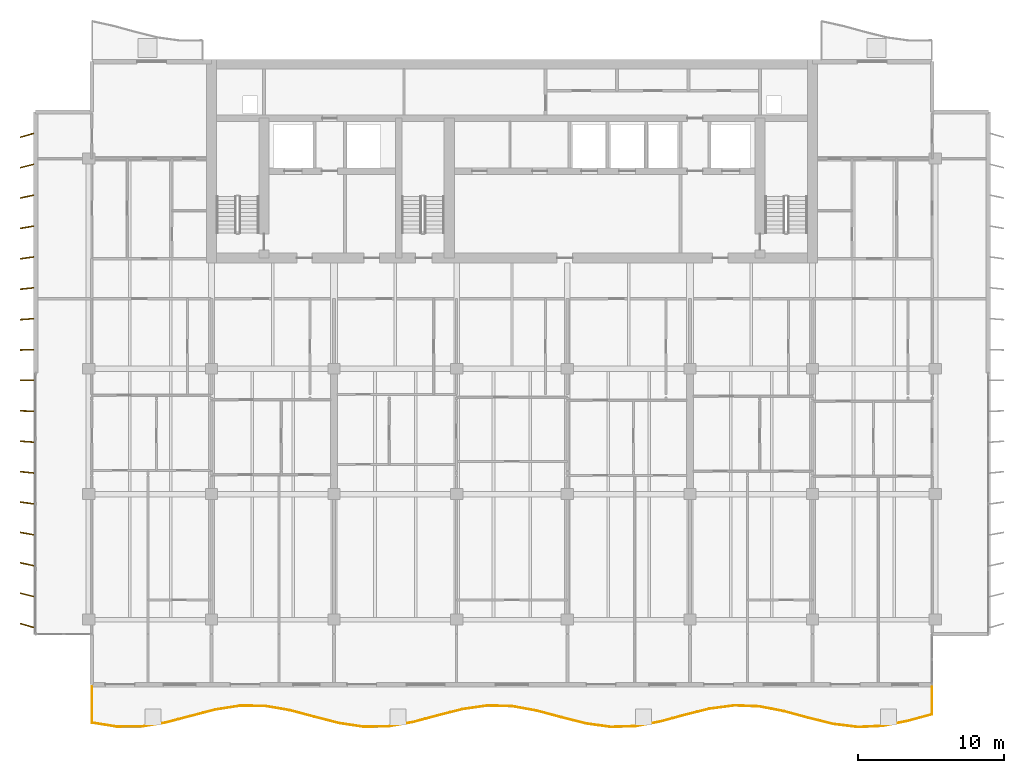
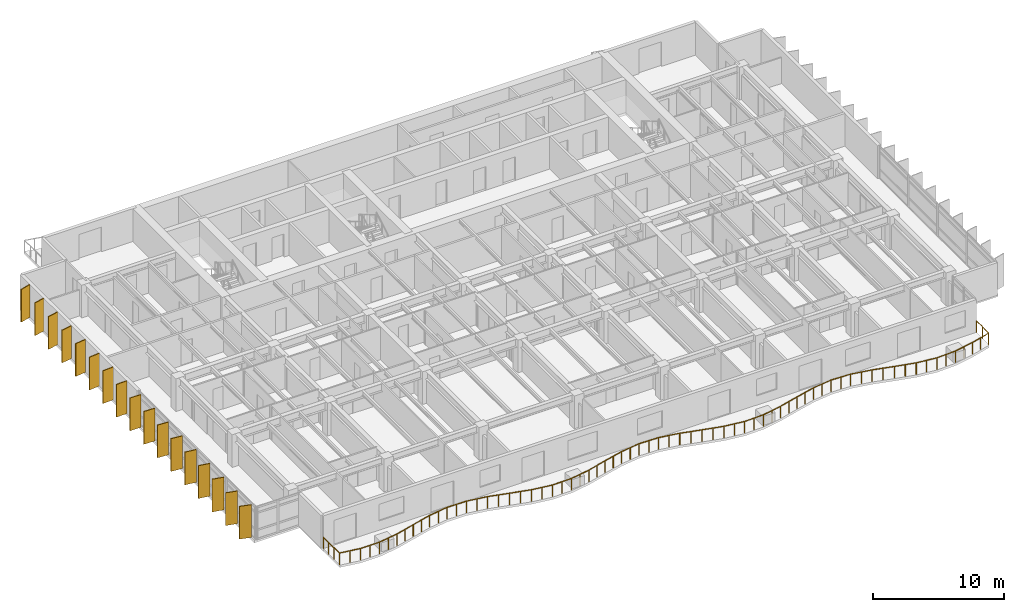
# One storey, part 16 of 19: 17 shading devices, 1 railing.
"""IFC4 building model written with IfcOpenShell, lengths in metres."""

from ifc_helpers import new_model, si_unit, direction, frame, origin, origin_2d, place, context, subcontext, project, spatial, rectangle, circle, extrude, material, material_profile, profile_set, type_object, element, save


model = new_model("IFC4")

# Units and contexts
model_context = context("Model", 3, precision=1e-05, world=origin(), true_north=direction((0.0, 1.0)))
body_context = subcontext(model_context, "Body", "Model", "MODEL_VIEW")
ifc_project = project(units=[si_unit("LENGTHUNIT", "METRE"), si_unit("AREAUNIT", "SQUARE_METRE"), si_unit("VOLUMEUNIT", "CUBIC_METRE"), si_unit("PLANEANGLEUNIT", "RADIAN"), si_unit("MASSUNIT", "GRAM", prefix="KILO")], contexts=[model_context])

# Site, building, storey
site_placement = place(None, origin())
site = spatial("IfcSite", under=ifc_project, at=site_placement, CompositionType="ELEMENT")
building_placement = place(site_placement, origin())
building = spatial("IfcBuilding", under=site, at=building_placement, Name="Caelmar Bay Residences", CompositionType="ELEMENT")
storey_placement = place(building_placement, frame((0.0, 0.0, 160.5)))
storey = spatial("IfcBuildingStorey", under=building, at=storey_placement, Name="L44", CompositionType="ELEMENT", Elevation=160.5)

# Railing
ifc_material_1 = material(Name="Anodised bronze handrail with laminated hurricane glass infill", Category="glass")
railing_type = type_object("IfcRailingType", Name="RL-BAL-1100", PredefinedType="BALUSTRADE", material=ifc_material_1)
railing_placement = place(storey_placement, frame((10.10009765625, 7.60009765625, 0.0)))
element("IfcRailing", 1, at=railing_placement, inside=storey, type_object=railing_type, Name="L44 south Balcony Balustrade", PredefinedType="BALUSTRADE", context=body_context, shape_type="SweptSolid", body=[
    extrude(circle(Radius=0.02392578125, at=origin_2d()), frame((0.0, 0.0, 1.076171875), z_axis=(0.0, -1.0, 0.0), x_axis=(1.0, 0.0, 0.0)), (0.0, 0.0, 1.0), 2.4609375),
    extrude(circle(Radius=0.02392578125, at=origin_2d()), frame((0.0, -2.4609375, 1.076171875), z_axis=(0.987200688163, -0.159482918494, 0.0), x_axis=(0.159482918494, 0.987200688163, 0.0)), (0.0, 0.0, 1.0), 1.716064453125),
    extrude(circle(Radius=0.02392578125, at=origin_2d()), frame((1.694091796875, -2.734619140625, 1.076171875), z_axis=(0.999997663546, 0.002161689718, 0.0), x_axis=(-0.002161689718, 0.999997663546, 0.0)), (0.0, 0.0, 1.0), 1.694091796875),
    extrude(circle(Radius=0.02392578125, at=origin_2d()), frame((3.38818359375, -2.73095703125, 1.076171875), z_axis=(0.986657806254, 0.162807780395, 0.0), x_axis=(-0.162807780395, 0.986657806254, 0.0)), (0.0, 0.0, 1.0), 1.717041015625),
    extrude(circle(Radius=0.02392578125, at=origin_2d()), frame((5.082275390625, -2.451416015625, 1.076171875), z_axis=(0.96690465537, 0.255137977228, 0.0), x_axis=(-0.255137977228, 0.96690465537, 0.0)), (0.0, 0.0, 1.0), 1.752197265625),
    extrude(circle(Radius=0.02392578125, at=origin_2d()), frame((6.7763671875, -2.00439453125, 1.076171875), z_axis=(0.967759300858, 0.25187682625, 0.0), x_axis=(-0.25187682625, 0.967759300858, 0.0)), (0.0, 0.0, 1.0), 1.75048828125),
    extrude(circle(Radius=0.02392578125, at=origin_2d()), frame((8.470458984375, -1.5634765625, 1.076171875), z_axis=(0.988103488903, 0.153790426288, 0.0), x_axis=(-0.153790426288, 0.988103488903, 0.0)), (0.0, 0.0, 1.0), 1.714599609375),
    extrude(circle(Radius=0.02392578125, at=origin_2d()), frame((10.16455078125, -1.2998046875, 1.076171875), z_axis=(0.999954769162, -0.009511026771, 0.0), x_axis=(0.009511026771, 0.999954769162, 0.0)), (0.0, 0.0, 1.0), 1.694091796875),
    extrude(circle(Radius=0.02392578125, at=origin_2d()), frame((11.858642578125, -1.31591796875, 1.076171875), z_axis=(0.985729527145, -0.168336862612, 0.0), x_axis=(0.168336862612, 0.985729527145, 0.0)), (0.0, 0.0, 1.0), 1.718505859375),
    extrude(circle(Radius=0.02392578125, at=origin_2d()), frame((13.552734375, -1.605224609375, 1.076171875), z_axis=(0.966431118361, -0.256925852072, 0.0), x_axis=(0.256925852072, 0.966431118361, 0.0)), (0.0, 0.0, 1.0), 1.753173828125),
    extrude(circle(Radius=0.02392578125, at=origin_2d()), frame((15.2470703125, -2.0556640625, 1.076171875), z_axis=(0.968335023776, -0.249654324475, 0.0), x_axis=(0.249654324475, 0.968335023776, 0.0)), (0.0, 0.0, 1.0), 1.74951171875),
    extrude(circle(Radius=0.02392578125, at=origin_2d()), frame((16.941162109375, -2.492431640625, 1.076171875), z_axis=(0.989016707165, -0.147803764999, 0.0), x_axis=(0.147803764999, 0.989016707165, 0.0)), (0.0, 0.0, 1.0), 1.712890625),
    extrude(circle(Radius=0.02392578125, at=origin_2d()), frame((18.63525390625, -2.74560546875, 1.076171875), z_axis=(0.99986029846, 0.016714770806, 0.0), x_axis=(-0.016714770806, 0.99986029846, 0.0)), (0.0, 0.0, 1.0), 1.6943359375),
    extrude(circle(Radius=0.02392578125, at=origin_2d()), frame((20.329345703125, -2.71728515625, 1.076171875), z_axis=(0.984772127014, 0.173850101685, 0.0), x_axis=(-0.173850101685, 0.984772127014, 0.0)), (0.0, 0.0, 1.0), 1.72021484375),
    extrude(circle(Radius=0.02392578125, at=origin_2d()), frame((22.0234375, -2.418212890625, 1.076171875), z_axis=(0.965971035188, 0.258650264214, 0.0), x_axis=(-0.258650264214, 0.965971035188, 0.0)), (0.0, 0.0, 1.0), 1.753662109375),
    extrude(circle(Radius=0.02392578125, at=origin_2d()), frame((23.717529296875, -1.964599609375, 1.076171875), z_axis=(0.969006670271, 0.247034558252, 0.0), x_axis=(-0.247034558252, 0.969006670271, 0.0)), (0.0, 0.0, 1.0), 1.748291015625),
    extrude(circle(Radius=0.02392578125, at=origin_2d()), frame((25.41162109375, -1.53271484375, 1.076171875), z_axis=(0.989875177467, 0.141940596855, 0.0), x_axis=(-0.141940596855, 0.989875177467, 0.0)), (0.0, 0.0, 1.0), 1.71142578125),
    extrude(circle(Radius=0.02392578125, at=origin_2d()), frame((27.105712890625, -1.289794921875, 1.076171875), z_axis=(0.99971051867, -0.024059901516, 0.0), x_axis=(0.024059901516, 0.99971051867, 0.0)), (0.0, 0.0, 1.0), 1.694580078125),
    extrude(circle(Radius=0.02392578125, at=origin_2d()), frame((28.7998046875, -1.33056640625, 1.076171875), z_axis=(0.983835864254, -0.179072589214, 0.0), x_axis=(0.179072589214, 0.983835864254, 0.0)), (0.0, 0.0, 1.0), 1.721923828125),
    extrude(circle(Radius=0.02392578125, at=origin_2d()), frame((30.493896484375, -1.638916015625, 1.076171875), z_axis=(0.965587538221, -0.26007826905, 0.0), x_axis=(0.26007826905, 0.965587538221, 0.0)), (0.0, 0.0, 1.0), 1.75439453125),
    extrude(circle(Radius=0.02392578125, at=origin_2d()), frame((32.18798828125, -2.09521484375, 1.076171875), z_axis=(0.96964737028, -0.244507622189, 0.0), x_axis=(0.244507622189, 0.96964737028, 0.0)), (0.0, 0.0, 1.0), 1.747314453125),
    extrude(circle(Radius=0.02392578125, at=origin_2d()), frame((33.88232421875, -2.5224609375, 1.076171875), z_axis=(0.990738714669, -0.135782175767, 0.0), x_axis=(0.135782175767, 0.990738714669, 0.0)), (0.0, 0.0, 1.0), 1.7099609375),
    extrude(circle(Radius=0.02392578125, at=origin_2d()), frame((35.576416015625, -2.754638671875, 1.076171875), z_axis=(0.999511373188, 0.031257237063, 0.0), x_axis=(-0.031257237063, 0.999511373188, 0.0)), (0.0, 0.0, 1.0), 1.69482421875),
    extrude(circle(Radius=0.02392578125, at=origin_2d()), frame((37.2705078125, -2.70166015625, 1.076171875), z_axis=(0.982899436849, 0.184143142802, 0.0), x_axis=(-0.184143142802, 0.982899436849, 0.0)), (0.0, 0.0, 1.0), 1.7236328125),
    extrude(circle(Radius=0.02392578125, at=origin_2d()), frame((38.964599609375, -2.38427734375, 1.076171875), z_axis=(0.965202237959, 0.261504569443, 0.0), x_axis=(-0.261504569443, 0.965202237959, 0.0)), (0.0, 0.0, 1.0), 1.755126953125),
    extrude(circle(Radius=0.02392578125, at=origin_2d()), frame((40.65869140625, -1.92529296875, 1.076171875), z_axis=(0.970331396698, 0.241778784391, 0.0), x_axis=(-0.241778784391, 0.970331396698, 0.0)), (0.0, 0.0, 1.0), 1.745849609375),
    extrude(circle(Radius=0.02392578125, at=origin_2d()), frame((42.352783203125, -1.503173828125, 1.076171875), z_axis=(0.99156771433, 0.129589613386, 0.0), x_axis=(-0.129589613386, 0.99156771433, 0.0)), (0.0, 0.0, 1.0), 1.708740234375),
    extrude(circle(Radius=0.02392578125, at=origin_2d()), frame((44.047119140625, -1.28173828125, 1.076171875), z_axis=(0.999260536356, -0.038449713677, 0.0), x_axis=(0.038449713677, 0.999260536356, 0.0)), (0.0, 0.0, 1.0), 1.6953125),
    extrude(circle(Radius=0.02392578125, at=origin_2d()), frame((45.7412109375, -1.346923828125, 1.076171875), z_axis=(0.981938757923, -0.189199037231, 0.0), x_axis=(0.189199037231, 0.981938757923, 0.0)), (0.0, 0.0, 1.0), 1.725341796875),
    extrude(circle(Radius=0.02392578125, at=origin_2d()), frame((47.435302734375, -1.67333984375, 1.076171875), z_axis=(0.964885656026, -0.262670270101, 0.0), x_axis=(0.262670270101, 0.964885656026, 0.0)), (0.0, 0.0, 1.0), 1.755859375),
    extrude(circle(Radius=0.02392578125, at=origin_2d()), frame((49.12939453125, -2.134521484375, 1.076171875), z_axis=(0.971081799803, -0.238747016928, 0.0), x_axis=(0.238747016928, 0.971081799803, 0.0)), (0.0, 0.0, 1.0), 1.74462890625),
    extrude(circle(Radius=0.02392578125, at=origin_2d()), frame((50.823486328125, -2.551025390625, 1.076171875), z_axis=(0.992354691508, -0.123418662454, 0.0), x_axis=(0.123418662454, 0.992354691508, 0.0)), (0.0, 0.0, 1.0), 1.70703125),
    extrude(circle(Radius=0.02392578125, at=origin_2d()), frame((52.517578125, -2.76171875, 1.076171875), z_axis=(0.998958124993, 0.045636219286, 0.0), x_axis=(-0.045636219286, 0.998958124993, 0.0)), (0.0, 0.0, 1.0), 1.69580078125),
    extrude(circle(Radius=0.02392578125, at=origin_2d()), frame((54.211669921875, -2.684326171875, 1.076171875), z_axis=(0.98098097861, 0.194103888692, 0.0), x_axis=(-0.194103888692, 0.98098097861, 0.0)), (0.0, 0.0, 1.0), 1.72705078125),
    extrude(circle(Radius=0.02392578125, at=origin_2d()), frame((55.90576171875, -2.34912109375, 1.076171875), z_axis=(0.964638596913, 0.263576131971, 0.0), x_axis=(-0.263576131971, 0.964638596913, 0.0)), (0.0, 0.0, 1.0), 1.756103515625),
    extrude(circle(Radius=0.02392578125, at=origin_2d()), frame((57.599853515625, -1.88623046875, 1.076171875), z_axis=(0.0, 1.0, 0.0), x_axis=(-1.0, 0.0, 0.0)), (0.0, 0.0, 1.0), 1.88623046875),
    extrude(circle(Radius=0.02099609375, at=origin_2d()), origin(), (0.0, 0.0, 1.0), 1.052001953125),
    extrude(circle(Radius=0.02099609375, at=origin_2d()), frame((0.0, -0.8203125, 0.0)), (0.0, 0.0, 1.0), 1.052001953125),
    extrude(circle(Radius=0.02099609375, at=origin_2d()), frame((0.0, -1.640625, 0.0)), (0.0, 0.0, 1.0), 1.052001953125),
    extrude(circle(Radius=0.02099609375, at=origin_2d()), frame((0.0, -2.4609375, 0.0)), (0.0, 0.0, 1.0), 1.052001953125),
    extrude(circle(Radius=0.02099609375, at=origin_2d()), frame((0.84716796875, -2.59765625, 0.0)), (0.0, 0.0, 1.0), 1.052001953125),
    extrude(circle(Radius=0.02099609375, at=origin_2d()), frame((1.694091796875, -2.734619140625, 0.0)), (0.0, 0.0, 1.0), 1.052001953125),
    extrude(circle(Radius=0.02099609375, at=origin_2d()), frame((2.541015625, -2.73291015625, 0.0)), (0.0, 0.0, 1.0), 1.052001953125),
    extrude(circle(Radius=0.02099609375, at=origin_2d()), frame((3.38818359375, -2.73095703125, 0.0)), (0.0, 0.0, 1.0), 1.052001953125),
    extrude(circle(Radius=0.02099609375, at=origin_2d()), frame((4.2353515625, -2.59130859375, 0.0)), (0.0, 0.0, 1.0), 1.052001953125),
    extrude(circle(Radius=0.02099609375, at=origin_2d()), frame((5.082275390625, -2.451416015625, 0.0)), (0.0, 0.0, 1.0), 1.052001953125),
    extrude(circle(Radius=0.02099609375, at=origin_2d()), frame((5.92919921875, -2.22802734375, 0.0)), (0.0, 0.0, 1.0), 1.052001953125),
    extrude(circle(Radius=0.02099609375, at=origin_2d()), frame((6.7763671875, -2.00439453125, 0.0)), (0.0, 0.0, 1.0), 1.052001953125),
    extrude(circle(Radius=0.02099609375, at=origin_2d()), frame((7.62353515625, -1.783935546875, 0.0)), (0.0, 0.0, 1.0), 1.052001953125),
    extrude(circle(Radius=0.02099609375, at=origin_2d()), frame((8.470458984375, -1.5634765625, 0.0)), (0.0, 0.0, 1.0), 1.052001953125),
    extrude(circle(Radius=0.02099609375, at=origin_2d()), frame((9.3173828125, -1.431640625, 0.0)), (0.0, 0.0, 1.0), 1.052001953125),
    extrude(circle(Radius=0.02099609375, at=origin_2d()), frame((10.16455078125, -1.2998046875, 0.0)), (0.0, 0.0, 1.0), 1.052001953125),
    extrude(circle(Radius=0.02099609375, at=origin_2d()), frame((11.01171875, -1.307861328125, 0.0)), (0.0, 0.0, 1.0), 1.052001953125),
    extrude(circle(Radius=0.02099609375, at=origin_2d()), frame((11.858642578125, -1.31591796875, 0.0)), (0.0, 0.0, 1.0), 1.052001953125),
    extrude(circle(Radius=0.02099609375, at=origin_2d()), frame((12.70556640625, -1.46044921875, 0.0)), (0.0, 0.0, 1.0), 1.052001953125),
    extrude(circle(Radius=0.02099609375, at=origin_2d()), frame((13.552734375, -1.605224609375, 0.0)), (0.0, 0.0, 1.0), 1.052001953125),
    extrude(circle(Radius=0.02099609375, at=origin_2d()), frame((14.39990234375, -1.83056640625, 0.0)), (0.0, 0.0, 1.0), 1.052001953125),
    extrude(circle(Radius=0.02099609375, at=origin_2d()), frame((15.2470703125, -2.0556640625, 0.0)), (0.0, 0.0, 1.0), 1.052001953125),
    extrude(circle(Radius=0.02099609375, at=origin_2d()), frame((16.09423828125, -2.27392578125, 0.0)), (0.0, 0.0, 1.0), 1.052001953125),
    extrude(circle(Radius=0.02099609375, at=origin_2d()), frame((16.941162109375, -2.492431640625, 0.0)), (0.0, 0.0, 1.0), 1.052001953125),
    extrude(circle(Radius=0.02099609375, at=origin_2d()), frame((17.7880859375, -2.619140625, 0.0)), (0.0, 0.0, 1.0), 1.052001953125),
    extrude(circle(Radius=0.02099609375, at=origin_2d()), frame((18.63525390625, -2.74560546875, 0.0)), (0.0, 0.0, 1.0), 1.052001953125),
    extrude(circle(Radius=0.02099609375, at=origin_2d()), frame((19.482421875, -2.7314453125, 0.0)), (0.0, 0.0, 1.0), 1.052001953125),
    extrude(circle(Radius=0.02099609375, at=origin_2d()), frame((20.329345703125, -2.71728515625, 0.0)), (0.0, 0.0, 1.0), 1.052001953125),
    extrude(circle(Radius=0.02099609375, at=origin_2d()), frame((21.17626953125, -2.56787109375, 0.0)), (0.0, 0.0, 1.0), 1.052001953125),
    extrude(circle(Radius=0.02099609375, at=origin_2d()), frame((22.0234375, -2.418212890625, 0.0)), (0.0, 0.0, 1.0), 1.052001953125),
    extrude(circle(Radius=0.02099609375, at=origin_2d()), frame((22.87060546875, -2.19140625, 0.0)), (0.0, 0.0, 1.0), 1.052001953125),
    extrude(circle(Radius=0.02099609375, at=origin_2d()), frame((23.717529296875, -1.964599609375, 0.0)), (0.0, 0.0, 1.0), 1.052001953125),
    extrude(circle(Radius=0.02099609375, at=origin_2d()), frame((24.564453125, -1.74853515625, 0.0)), (0.0, 0.0, 1.0), 1.052001953125),
    extrude(circle(Radius=0.02099609375, at=origin_2d()), frame((25.41162109375, -1.53271484375, 0.0)), (0.0, 0.0, 1.0), 1.052001953125),
    extrude(circle(Radius=0.02099609375, at=origin_2d()), frame((26.2587890625, -1.4111328125, 0.0)), (0.0, 0.0, 1.0), 1.052001953125),
    extrude(circle(Radius=0.02099609375, at=origin_2d()), frame((27.105712890625, -1.289794921875, 0.0)), (0.0, 0.0, 1.0), 1.052001953125),
    extrude(circle(Radius=0.02099609375, at=origin_2d()), frame((27.95263671875, -1.31005859375, 0.0)), (0.0, 0.0, 1.0), 1.052001953125),
    extrude(circle(Radius=0.02099609375, at=origin_2d()), frame((28.7998046875, -1.33056640625, 0.0)), (0.0, 0.0, 1.0), 1.052001953125),
    extrude(circle(Radius=0.02099609375, at=origin_2d()), frame((29.64697265625, -1.48486328125, 0.0)), (0.0, 0.0, 1.0), 1.052001953125),
    extrude(circle(Radius=0.02099609375, at=origin_2d()), frame((30.493896484375, -1.638916015625, 0.0)), (0.0, 0.0, 1.0), 1.052001953125),
    extrude(circle(Radius=0.02099609375, at=origin_2d()), frame((31.3408203125, -1.8671875, 0.0)), (0.0, 0.0, 1.0), 1.052001953125),
    extrude(circle(Radius=0.02099609375, at=origin_2d()), frame((32.18798828125, -2.09521484375, 0.0)), (0.0, 0.0, 1.0), 1.052001953125),
    extrude(circle(Radius=0.02099609375, at=origin_2d()), frame((33.03515625, -2.308837890625, 0.0)), (0.0, 0.0, 1.0), 1.052001953125),
    extrude(circle(Radius=0.02099609375, at=origin_2d()), frame((33.88232421875, -2.5224609375, 0.0)), (0.0, 0.0, 1.0), 1.052001953125),
    extrude(circle(Radius=0.02099609375, at=origin_2d()), frame((34.7294921875, -2.638671875, 0.0)), (0.0, 0.0, 1.0), 1.052001953125),
    extrude(circle(Radius=0.02099609375, at=origin_2d()), frame((35.576416015625, -2.754638671875, 0.0)), (0.0, 0.0, 1.0), 1.052001953125),
    extrude(circle(Radius=0.02099609375, at=origin_2d()), frame((36.42333984375, -2.72802734375, 0.0)), (0.0, 0.0, 1.0), 1.052001953125),
    extrude(circle(Radius=0.02099609375, at=origin_2d()), frame((37.2705078125, -2.70166015625, 0.0)), (0.0, 0.0, 1.0), 1.052001953125),
    extrude(circle(Radius=0.02099609375, at=origin_2d()), frame((38.11767578125, -2.54296875, 0.0)), (0.0, 0.0, 1.0), 1.052001953125),
    extrude(circle(Radius=0.02099609375, at=origin_2d()), frame((38.964599609375, -2.38427734375, 0.0)), (0.0, 0.0, 1.0), 1.052001953125),
    extrude(circle(Radius=0.02099609375, at=origin_2d()), frame((39.8115234375, -2.15478515625, 0.0)), (0.0, 0.0, 1.0), 1.052001953125),
    extrude(circle(Radius=0.02099609375, at=origin_2d()), frame((40.65869140625, -1.92529296875, 0.0)), (0.0, 0.0, 1.0), 1.052001953125),
    extrude(circle(Radius=0.02099609375, at=origin_2d()), frame((41.505859375, -1.71435546875, 0.0)), (0.0, 0.0, 1.0), 1.052001953125),
    extrude(circle(Radius=0.02099609375, at=origin_2d()), frame((42.352783203125, -1.503173828125, 0.0)), (0.0, 0.0, 1.0), 1.052001953125),
    extrude(circle(Radius=0.02099609375, at=origin_2d()), frame((43.199951171875, -1.392578125, 0.0)), (0.0, 0.0, 1.0), 1.052001953125),
    extrude(circle(Radius=0.02099609375, at=origin_2d()), frame((44.047119140625, -1.28173828125, 0.0)), (0.0, 0.0, 1.0), 1.052001953125),
    extrude(circle(Radius=0.02099609375, at=origin_2d()), frame((44.89404296875, -1.314453125, 0.0)), (0.0, 0.0, 1.0), 1.052001953125),
    extrude(circle(Radius=0.02099609375, at=origin_2d()), frame((45.7412109375, -1.346923828125, 0.0)), (0.0, 0.0, 1.0), 1.052001953125),
    extrude(circle(Radius=0.02099609375, at=origin_2d()), frame((46.58837890625, -1.51025390625, 0.0)), (0.0, 0.0, 1.0), 1.052001953125),
    extrude(circle(Radius=0.02099609375, at=origin_2d()), frame((47.435302734375, -1.67333984375, 0.0)), (0.0, 0.0, 1.0), 1.052001953125),
    extrude(circle(Radius=0.02099609375, at=origin_2d()), frame((48.2822265625, -1.90380859375, 0.0)), (0.0, 0.0, 1.0), 1.052001953125),
    extrude(circle(Radius=0.02099609375, at=origin_2d()), frame((49.12939453125, -2.134521484375, 0.0)), (0.0, 0.0, 1.0), 1.052001953125),
    extrude(circle(Radius=0.02099609375, at=origin_2d()), frame((49.9765625, -2.3427734375, 0.0)), (0.0, 0.0, 1.0), 1.052001953125),
    extrude(circle(Radius=0.02099609375, at=origin_2d()), frame((50.823486328125, -2.551025390625, 0.0)), (0.0, 0.0, 1.0), 1.052001953125),
    extrude(circle(Radius=0.02099609375, at=origin_2d()), frame((51.67041015625, -2.65625, 0.0)), (0.0, 0.0, 1.0), 1.052001953125),
    extrude(circle(Radius=0.02099609375, at=origin_2d()), frame((52.517578125, -2.76171875, 0.0)), (0.0, 0.0, 1.0), 1.052001953125),
    extrude(circle(Radius=0.02099609375, at=origin_2d()), frame((53.36474609375, -2.72314453125, 0.0)), (0.0, 0.0, 1.0), 1.052001953125),
    extrude(circle(Radius=0.02099609375, at=origin_2d()), frame((54.211669921875, -2.684326171875, 0.0)), (0.0, 0.0, 1.0), 1.052001953125),
    extrude(circle(Radius=0.02099609375, at=origin_2d()), frame((55.05859375, -2.5166015625, 0.0)), (0.0, 0.0, 1.0), 1.052001953125),
    extrude(circle(Radius=0.02099609375, at=origin_2d()), frame((55.90576171875, -2.34912109375, 0.0)), (0.0, 0.0, 1.0), 1.052001953125),
    extrude(circle(Radius=0.02099609375, at=origin_2d()), frame((56.7529296875, -2.11767578125, 0.0)), (0.0, 0.0, 1.0), 1.052001953125),
    extrude(circle(Radius=0.02099609375, at=origin_2d()), frame((57.599853515625, -1.88623046875, 0.0)), (0.0, 0.0, 1.0), 1.052001953125),
    extrude(circle(Radius=0.02099609375, at=origin_2d()), frame((57.599853515625, -0.943115234375, 0.0)), (0.0, 0.0, 1.0), 1.052001953125),
    extrude(circle(Radius=0.02099609375, at=origin_2d()), frame((57.599853515625, 0.0, 0.0)), (0.0, 0.0, 1.0), 1.052001953125),
])

# Shading devices
ifc_material_2 = material(Name="Anodised architectural bronze aluminium 6063-T6", Category="aluminium")
ifc_material_profile = material_profile(ifc_material_2, rectangle(XDim=0.074951171875, YDim=0.949951171875, at=origin_2d()), Name="BRONZE-FIN-75X950")
ifc_profile_set = profile_set([ifc_material_profile], Name="Anodised architectural bronze aluminium 6063-T6")
shading_device_type = type_object("IfcShadingDeviceType", Name="SHD-FIN-950", PredefinedType="USERDEFINED", material=ifc_profile_set)
for number, where, z_axis, x_axis, name in (
    (2, (5.64990234375, 11.800048828125, 0.0), (0.0, 0.0, 1.0), (0.275637355817, 0.961261695938, 0.0), "L44 West Bronze Solar Fin 1"),
    (3, (5.64990234375, 13.89990234375, 0.0), (0.0, 0.0, 1.0), (0.2419218956, 0.970295726276, 0.0), "L44 West Bronze Solar Fin 2"),
    (4, (5.64990234375, 16.0, 0.0), (0.0, 0.0, 1.0), (0.207911690818, 0.978147600734, 0.0), "L44 West Bronze Solar Fin 3"),
    (5, (5.64990234375, 18.10009765625, 0.0), (0.0, 0.0, 1.0), (0.173648177667, 0.984807753012, 0.0), "L44 West Bronze Solar Fin 4"),
    (6, (5.64990234375, 20.199951171875, 0.0), (0.0, 0.0, 1.0), (0.13917310096, 0.990268068742, 0.0), "L44 West Bronze Solar Fin 5"),
    (7, (5.64990234375, 22.300048828125, 0.0), (0.0, 0.0, 1.0), (0.104528463268, 0.994521895368, 0.0), "L44 West Bronze Solar Fin 6"),
    (8, (5.64990234375, 24.39990234375, 0.0), (0.0, 0.0, 1.0), (0.069756473744, 0.99756405026, 0.0), "L44 West Bronze Solar Fin 7"),
    (9, (5.64990234375, 26.5, 0.0), (0.0, 0.0, 1.0), (0.034899496703, 0.999390827019, 0.0), "L44 West Bronze Solar Fin 8"),
    (10, (5.64990234375, 28.60009765625, 0.0), (0.0, 0.0, 1.0), (0.0, 1.0, 0.0), "L44 West Bronze Solar Fin 9"),
    (11, (5.64990234375, 30.699951171875, 0.0), (0.0, 0.0, 1.0), (-0.034899496703, 0.999390827019, 0.0), "L44 West Bronze Solar Fin 10"),
    (12, (5.64990234375, 32.800048828125, 0.0), (0.0, 0.0, 1.0), (-0.069756473744, 0.99756405026, 0.0), "L44 West Bronze Solar Fin 11"),
    (13, (5.64990234375, 34.89990234375, 0.0), (0.0, 0.0, 1.0), (-0.104528463268, 0.994521895368, 0.0), "L44 West Bronze Solar Fin 12"),
    (14, (5.64990234375, 37.0, 0.0), (0.0, 0.0, 1.0), (-0.13917310096, 0.990268068742, 0.0), "L44 West Bronze Solar Fin 13"),
    (15, (5.64990234375, 39.10009765625, 0.0), (0.0, 0.0, 1.0), (-0.173648177667, 0.984807753012, 0.0), "L44 West Bronze Solar Fin 14"),
    (16, (5.64990234375, 41.199951171875, 0.0), (0.0, 0.0, 1.0), (-0.207911690818, 0.978147600734, 0.0), "L44 West Bronze Solar Fin 15"),
    (17, (5.64990234375, 43.300048828125, 0.0), (0.0, 0.0, 1.0), (-0.2419218956, 0.970295726276, 0.0), "L44 West Bronze Solar Fin 16"),
    (18, (5.64990234375, 45.39990234375, 0.0), (0.0, 0.0, 1.0), (-0.275637355817, 0.961261695938, 0.0), "L44 West Bronze Solar Fin 17"),
):
    element("IfcShadingDevice", number, at=place(storey_placement, frame(where, z_axis=z_axis, x_axis=x_axis)), inside=storey, type_object=shading_device_type, Name=name, ObjectType="FIN", PredefinedType="USERDEFINED", context=body_context, shape_type="SweptSolid", body=[
        extrude(rectangle(XDim=0.074951171875, YDim=0.949951171875, at=origin_2d()), origin(), (0.0, 0.0, 1.0), 3.050048828125),
    ])

save(model, "model.ifc")
